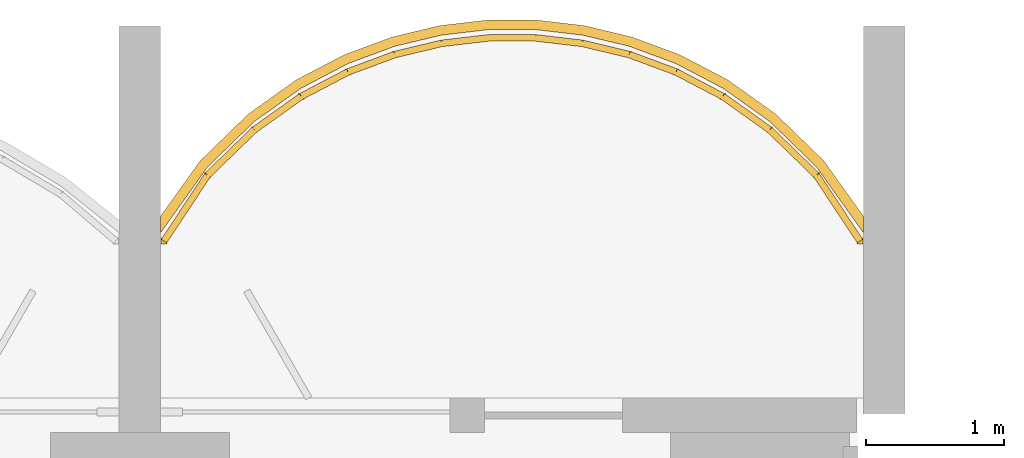
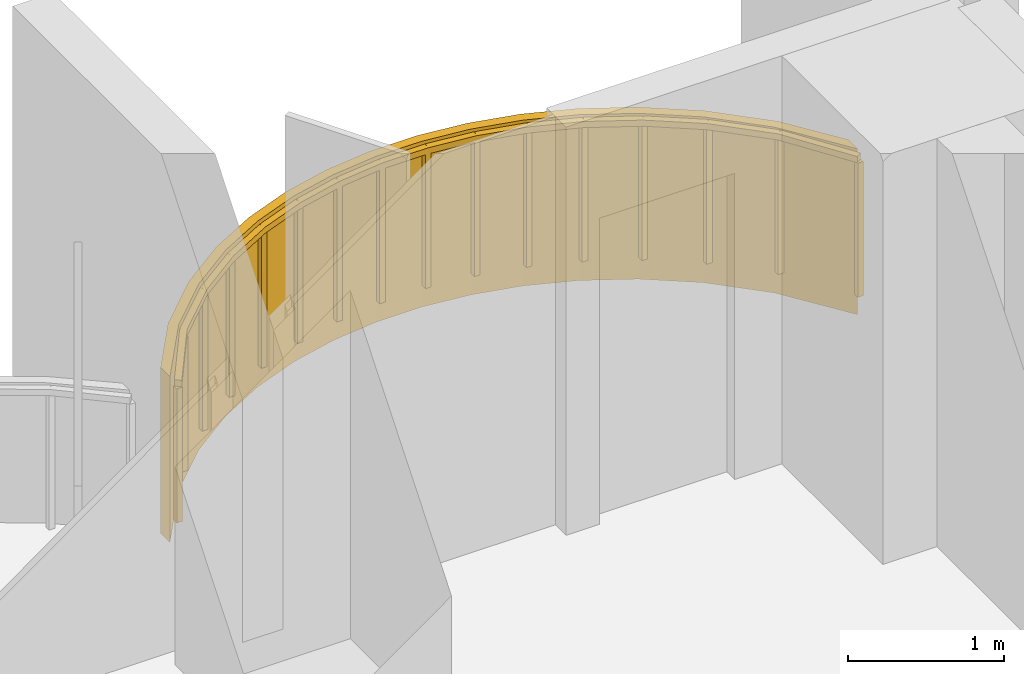
# One storey, part 21 of 21: 1 covering, 1 railing.
"""IFC4 building model written with IfcOpenShell, lengths in metres."""

from ifc_helpers import new_model, si_unit, direction, frame, origin, origin_2d, place, context, subcontext, project, spatial, polyline, rectangle, outline, extrude, material, layer, layer_set, type_object, element, save


model = new_model("IFC4")

# Units and contexts
model_context = context("Model", 3, precision=1e-05, world=origin(), true_north=direction((0.0, 1.0)))
body_context = subcontext(model_context, "Body", "Model", "MODEL_VIEW")
ifc_project = project(units=[si_unit("LENGTHUNIT", "METRE"), si_unit("AREAUNIT", "SQUARE_METRE"), si_unit("VOLUMEUNIT", "CUBIC_METRE"), si_unit("PLANEANGLEUNIT", "RADIAN"), si_unit("MASSUNIT", "GRAM", prefix="KILO")], contexts=[model_context])

# Site, building, storey
site_placement = place(None, origin())
site = spatial("IfcSite", under=ifc_project, at=site_placement, CompositionType="ELEMENT")
building_placement = place(site_placement, origin())
building = spatial("IfcBuilding", under=site, at=building_placement, Name="Perihelion Cross Residences", CompositionType="ELEMENT")
storey_placement = place(building_placement, frame((0.0, 0.0, 89.0)))
storey = spatial("IfcBuildingStorey", under=building, at=storey_placement, Name="L20", CompositionType="ELEMENT", Elevation=89.0)

# Covering
ifc_material_1 = material(Name="Bronze anodised aluminium", Category="aluminium")
ifc_layer = layer(ifc_material_1, 0.070068359375)
ifc_layer_set = layer_set([ifc_layer], Name="Balcony fascia 1300")
covering_type = type_object("IfcCoveringType", Name="Balcony fascia 1300", PredefinedType="CLADDING", material=ifc_layer_set)
covering_placement = place(storey_placement, frame((0.0, 0.0, -0.199951171875)))
element("IfcCovering", 1, at=covering_placement, inside=storey, type_object=covering_type, Name="Fascia BF1 L20 north tip north bay 1", PredefinedType="CLADDING", context=body_context, shape_type="SweptSolid", body=[
    extrude(outline(polyline([(4.963134765625, 28.722412109375), (4.61474609375, 29.060791015625), (4.2666015625, 29.308837890625), (3.91845703125, 29.4912109375), (3.5703125, 29.620361328125), (3.22216796875, 29.703369140625), (2.8740234375, 29.743896484375), (2.52587890625, 29.743896484375), (2.177734375, 29.703369140625), (1.82958984375, 29.620361328125), (1.4814453125, 29.4912109375), (1.13330078125, 29.308837890625), (0.78515625, 29.060791015625), (0.43701171875, 28.722412109375), (0.14990234375, 28.320556640625), (0.14990234375, 28.199951171875), (0.489990234375, 28.6767578125), (0.830078125, 29.007080078125), (1.169921875, 29.2490234375), (1.510009765625, 29.42724609375), (1.85009765625, 29.553466796875), (2.18994140625, 29.63427734375), (2.530029296875, 29.674072265625), (2.8701171875, 29.674072265625), (3.2099609375, 29.63427734375), (3.550048828125, 29.553466796875), (3.889892578125, 29.42724609375), (4.22998046875, 29.2490234375), (4.570068359375, 29.007080078125), (4.909912109375, 28.6767578125), (5.25, 28.199951171875), (5.25, 28.320556640625), (4.963134765625, 28.722412109375)])), origin(), (0.0, 0.0, 1.0), 1.300048828125),
])

# Railing
ifc_material_2 = material(Name="Bronze anodised aluminium", Category="aluminium")
railing_type = type_object("IfcRailingType", Name="Balcony guard 1100", PredefinedType="GUARDRAIL", material=ifc_material_2)
railing_placement = place(storey_placement, frame((5.22509765625, 28.139892578125, 0.0)))
element("IfcRailing", 2, at=railing_placement, inside=storey, type_object=railing_type, Name="Guard GU1 L20 north tip north bay 1 balcony", PredefinedType="GUARDRAIL", context=body_context, shape_type="SweptSolid", body=[
    extrude(rectangle(XDim=0.048095703125, YDim=0.048095703125, at=origin_2d()), frame((0.0, 0.0, 1.076171875), z_axis=(-0.55144309028, 0.834212513801, 0.0), x_axis=(-0.834212513801, -0.55144309028, 0.0)), (0.0, 0.0, 1.0), 0.571533203125),
    extrude(rectangle(XDim=0.048095703125, YDim=0.048095703125, at=origin_2d()), frame((-0.315185546875, 0.476806640625, 1.076171875), z_axis=(-0.717080736691, 0.696990112603, 0.0), x_axis=(-0.696990112603, -0.717080736691, 0.0)), (0.0, 0.0, 1.0), 0.473876953125),
    extrude(rectangle(XDim=0.048095703125, YDim=0.048095703125, at=origin_2d()), frame((-0.655029296875, 0.80712890625, 1.076171875), z_axis=(-0.814562360662, 0.580075995532, 0.0), x_axis=(-0.580075995532, -0.814562360662, 0.0)), (0.0, 0.0, 1.0), 0.41748046875),
    extrude(rectangle(XDim=0.048095703125, YDim=0.048095703125, at=origin_2d()), frame((-0.9951171875, 1.04931640625, 1.076171875), z_axis=(-0.886005761733, 0.463674228502, 0.0), x_axis=(-0.463674228502, -0.886005761733, 0.0)), (0.0, 0.0, 1.0), 0.3837890625),
    extrude(rectangle(XDim=0.048095703125, YDim=0.048095703125, at=origin_2d()), frame((-1.335205078125, 1.227294921875, 1.076171875), z_axis=(-0.937431552165, 0.348169621027, 0.0), x_axis=(-0.348169621027, -0.937431552165, 0.0)), (0.0, 0.0, 1.0), 0.362548828125),
    extrude(rectangle(XDim=0.048095703125, YDim=0.048095703125, at=origin_2d()), frame((-1.675048828125, 1.353515625, 1.076171875), z_axis=(-0.972753741142, 0.231840805498, 0.0), x_axis=(-0.231840805498, -0.972753741142, 0.0)), (0.0, 0.0, 1.0), 0.349609375),
    extrude(rectangle(XDim=0.048095703125, YDim=0.048095703125, at=origin_2d()), frame((-2.01513671875, 1.4345703125, 1.076171875), z_axis=(-0.993295952156, 0.11559909788, 0.0), x_axis=(-0.11559909788, -0.993295952156, 0.0)), (0.0, 0.0, 1.0), 0.342041015625),
    extrude(rectangle(XDim=0.048095703125, YDim=0.048095703125, at=origin_2d()), frame((-2.35498046875, 1.47412109375, 1.076171875), z_axis=(-1.0, 0.0, 0.0), x_axis=(0.0, -1.0, 0.0)), (0.0, 0.0, 1.0), 0.340087890625),
    extrude(rectangle(XDim=0.048095703125, YDim=0.048095703125, at=origin_2d()), frame((-2.695068359375, 1.47412109375, 1.076171875), z_axis=(-0.993305477634, -0.11551721994, 0.0), x_axis=(0.11551721994, -0.993305477634, 0.0)), (0.0, 0.0, 1.0), 0.34228515625),
    extrude(rectangle(XDim=0.048095703125, YDim=0.048095703125, at=origin_2d()), frame((-3.03515625, 1.4345703125, 1.076171875), z_axis=(-0.972716168284, -0.231998396458, 0.0), x_axis=(0.231998396458, -0.972716168284, 0.0)), (0.0, 0.0, 1.0), 0.349365234375),
    extrude(rectangle(XDim=0.048095703125, YDim=0.048095703125, at=origin_2d()), frame((-3.375, 1.353515625, 1.076171875), z_axis=(-0.93751311099, -0.347949948587, 0.0), x_axis=(0.347949948587, -0.93751311099, 0.0)), (0.0, 0.0, 1.0), 0.36279296875),
    extrude(rectangle(XDim=0.048095703125, YDim=0.048095703125, at=origin_2d()), frame((-3.715087890625, 1.227294921875, 1.076171875), z_axis=(-0.886005761733, -0.463674228502, 0.0), x_axis=(0.463674228502, -0.886005761733, 0.0)), (0.0, 0.0, 1.0), 0.3837890625),
    extrude(rectangle(XDim=0.048095703125, YDim=0.048095703125, at=origin_2d()), frame((-4.05517578125, 1.04931640625, 1.076171875), z_axis=(-0.814365457194, -0.580352394782, 0.0), x_axis=(0.580352394782, -0.814365457194, 0.0)), (0.0, 0.0, 1.0), 0.417236328125),
    extrude(rectangle(XDim=0.048095703125, YDim=0.048095703125, at=origin_2d()), frame((-4.39501953125, 0.80712890625, 1.076171875), z_axis=(-0.717330852669, -0.69673269466, 0.0), x_axis=(0.69673269466, -0.717330852669, 0.0)), (0.0, 0.0, 1.0), 0.47412109375),
    extrude(rectangle(XDim=0.048095703125, YDim=0.048095703125, at=origin_2d()), frame((-4.735107421875, 0.476806640625, 1.076171875), z_axis=(-0.551145731138, -0.834409002258, 0.0), x_axis=(0.834409002258, -0.551145731138, 0.0)), (0.0, 0.0, 1.0), 0.571533203125),
    extrude(rectangle(XDim=0.0419921875, YDim=0.0419921875, at=origin_2d()), origin(), (0.0, 0.0, 1.0), 1.052001953125),
    extrude(rectangle(XDim=0.0419921875, YDim=0.0419921875, at=origin_2d()), frame((-0.315185546875, 0.476806640625, 0.0)), (0.0, 0.0, 1.0), 1.052001953125),
    extrude(rectangle(XDim=0.0419921875, YDim=0.0419921875, at=origin_2d()), frame((-0.655029296875, 0.80712890625, 0.0)), (0.0, 0.0, 1.0), 1.052001953125),
    extrude(rectangle(XDim=0.0419921875, YDim=0.0419921875, at=origin_2d()), frame((-0.9951171875, 1.04931640625, 0.0)), (0.0, 0.0, 1.0), 1.052001953125),
    extrude(rectangle(XDim=0.0419921875, YDim=0.0419921875, at=origin_2d()), frame((-1.335205078125, 1.227294921875, 0.0)), (0.0, 0.0, 1.0), 1.052001953125),
    extrude(rectangle(XDim=0.0419921875, YDim=0.0419921875, at=origin_2d()), frame((-1.675048828125, 1.353515625, 0.0)), (0.0, 0.0, 1.0), 1.052001953125),
    extrude(rectangle(XDim=0.0419921875, YDim=0.0419921875, at=origin_2d()), frame((-2.01513671875, 1.4345703125, 0.0)), (0.0, 0.0, 1.0), 1.052001953125),
    extrude(rectangle(XDim=0.0419921875, YDim=0.0419921875, at=origin_2d()), frame((-2.35498046875, 1.47412109375, 0.0)), (0.0, 0.0, 1.0), 1.052001953125),
    extrude(rectangle(XDim=0.0419921875, YDim=0.0419921875, at=origin_2d()), frame((-2.695068359375, 1.47412109375, 0.0)), (0.0, 0.0, 1.0), 1.052001953125),
    extrude(rectangle(XDim=0.0419921875, YDim=0.0419921875, at=origin_2d()), frame((-3.03515625, 1.4345703125, 0.0)), (0.0, 0.0, 1.0), 1.052001953125),
    extrude(rectangle(XDim=0.0419921875, YDim=0.0419921875, at=origin_2d()), frame((-3.375, 1.353515625, 0.0)), (0.0, 0.0, 1.0), 1.052001953125),
    extrude(rectangle(XDim=0.0419921875, YDim=0.0419921875, at=origin_2d()), frame((-3.715087890625, 1.227294921875, 0.0)), (0.0, 0.0, 1.0), 1.052001953125),
    extrude(rectangle(XDim=0.0419921875, YDim=0.0419921875, at=origin_2d()), frame((-4.05517578125, 1.04931640625, 0.0)), (0.0, 0.0, 1.0), 1.052001953125),
    extrude(rectangle(XDim=0.0419921875, YDim=0.0419921875, at=origin_2d()), frame((-4.39501953125, 0.80712890625, 0.0)), (0.0, 0.0, 1.0), 1.052001953125),
    extrude(rectangle(XDim=0.0419921875, YDim=0.0419921875, at=origin_2d()), frame((-4.735107421875, 0.476806640625, 0.0)), (0.0, 0.0, 1.0), 1.052001953125),
    extrude(rectangle(XDim=0.0419921875, YDim=0.0419921875, at=origin_2d()), frame((-5.050048828125, 0.0, 0.0)), (0.0, 0.0, 1.0), 1.052001953125),
])

save(model, "model.ifc")
